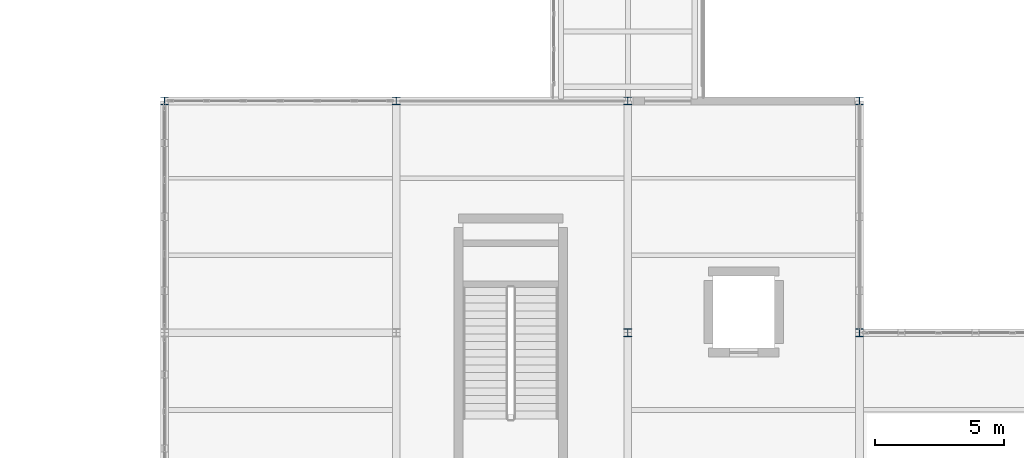
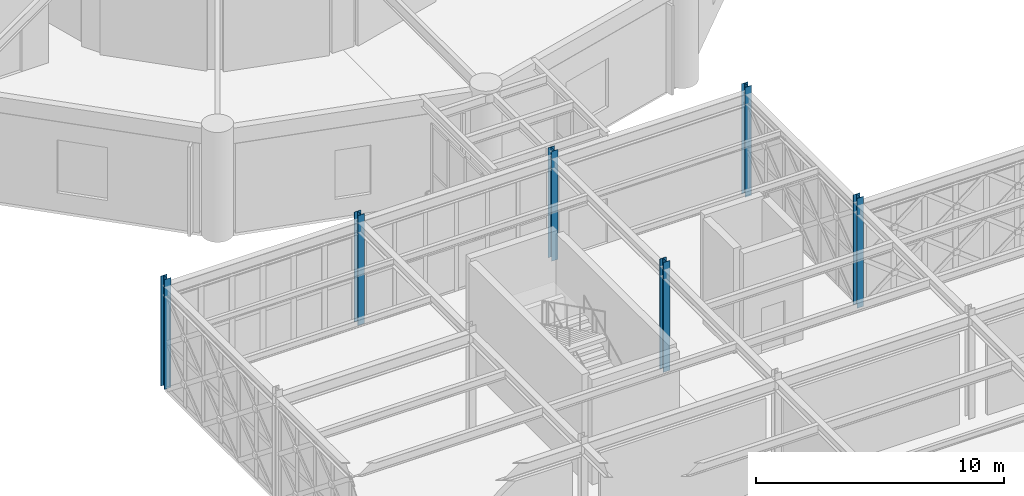
# One storey, part 3 of 155: 6 columns.
"""IFC4 building model written with IfcOpenShell, lengths in metres."""

from ifc_helpers import new_model, si_unit, direction, frame, origin, origin_2d, place, context, subcontext, project, spatial, i_section, extrude, material, material_profile, profile_set, type_object, element, save


model = new_model("IFC4")

# Units and contexts
model_context = context("Model", 3, precision=1e-05, world=origin(), true_north=direction((0.0, 1.0)))
body_context = subcontext(model_context, "Body", "Model", "MODEL_VIEW")
ifc_project = project(units=[si_unit("LENGTHUNIT", "METRE"), si_unit("AREAUNIT", "SQUARE_METRE"), si_unit("VOLUMEUNIT", "CUBIC_METRE"), si_unit("PLANEANGLEUNIT", "RADIAN"), si_unit("MASSUNIT", "GRAM", prefix="KILO")], contexts=[model_context])

# Site, building, storey
site_placement = place(None, origin())
site = spatial("IfcSite", under=ifc_project, at=site_placement, CompositionType="ELEMENT")
building_placement = place(site_placement, origin())
building = spatial("IfcBuilding", under=site, at=building_placement, Name="Haizhuo Lancet Aquarium", CompositionType="ELEMENT")
storey_placement = place(building_placement, frame((0.0, 0.0, 10.800048828125)))
storey = spatial("IfcBuildingStorey", under=building, at=storey_placement, Name="L02", CompositionType="ELEMENT", Elevation=10.800048828125)

# Columns
ifc_material = material(Name="Steel S355", Category="steel")
ifc_material_profile = material_profile(ifc_material, i_section(OverallWidth=0.300048828125, OverallDepth=0.300048828125, WebThickness=0.010009765625, FlangeThickness=0.014892578125, FilletRadius=0.01806640625, at=origin_2d()), Name="HW 300x300x10x15")
ifc_profile_set = profile_set([ifc_material_profile], Name="Steel S355")
column_type = type_object("IfcColumnType", Name="COL-ST-HW300", PredefinedType="COLUMN", material=ifc_profile_set)
for number, where, z_axis, x_axis, name in (
    (1, (-18.0, -27.0, 0.0), (0.0, 0.0, 1.0), (1.0, 0.0, 0.0), "L02 column V4-COL-069"),
    (2, (-9.0, -27.0, 0.0), (0.0, 0.0, 1.0), (1.0, 0.0, 0.0), "L02 column V4-COL-073"),
    (3, (0.0, -36.0, 0.0), (0.0, 0.0, 1.0), (1.0, 0.0, 0.0), "L02 column V4-COL-076"),
    (4, (0.0, -27.0, 0.0), (0.0, 0.0, 1.0), (1.0, 0.0, 0.0), "L02 column V4-COL-077"),
    (5, (9.0, -36.0, 0.0), (0.0, 0.0, 1.0), (1.0, 0.0, 0.0), "L02 column V4-COL-080"),
    (6, (9.0, -27.0, 0.0), (0.0, 0.0, 1.0), (1.0, 0.0, 0.0), "L02 column V4-COL-081"),
):
    element("IfcColumn", number, at=place(storey_placement, frame(where, z_axis=z_axis, x_axis=x_axis)), inside=storey, type_object=column_type, Name=name, PredefinedType="COLUMN", context=body_context, shape_type="SweptSolid", body=[
        extrude(i_section(OverallWidth=0.300048828125, OverallDepth=0.300048828125, WebThickness=0.010009765625, FlangeThickness=0.014892578125, FilletRadius=0.01806640625, at=origin_2d()), origin(), (0.0, 0.0, 1.0), 5.39990234375),
    ])

save(model, "model.ifc")
